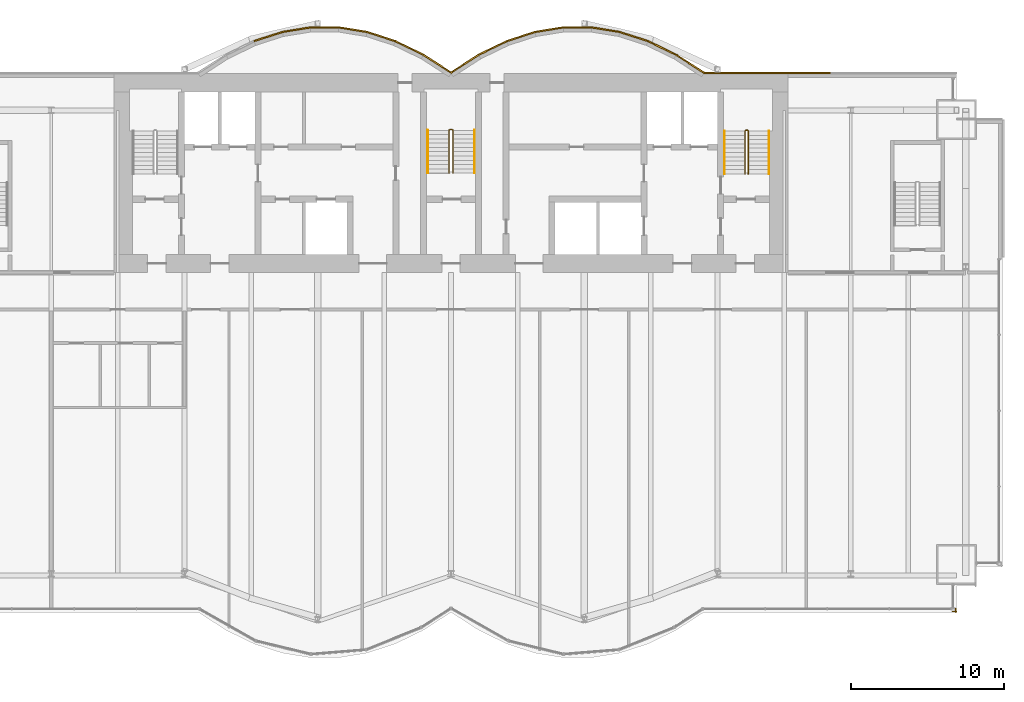
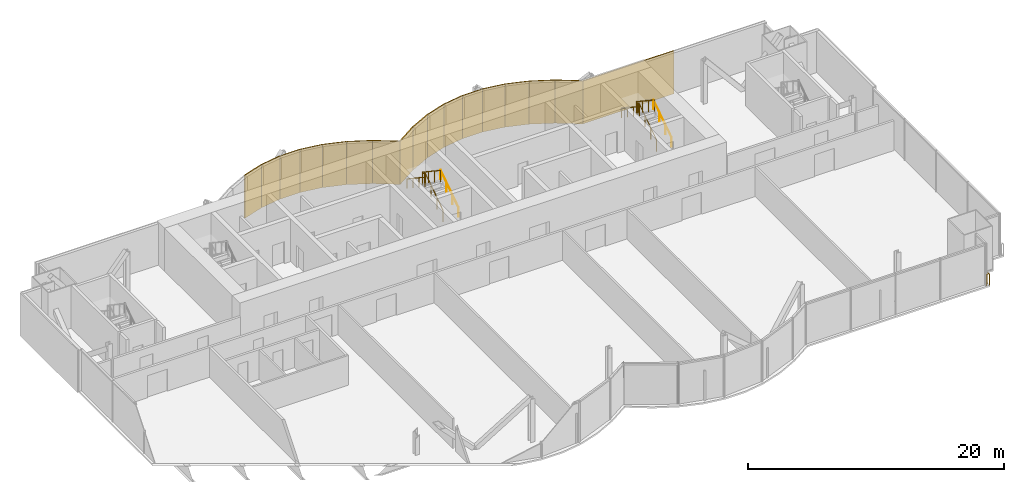
# One storey, part 20 of 21: 17 coverings, 7 railings.
"""IFC4 building model written with IfcOpenShell, lengths in metres."""

from ifc_helpers import new_model, si_unit, direction, frame, origin, origin_2d, place, context, subcontext, project, spatial, rectangle, circle, extrude, material, layer, layer_set, type_object, element, save


model = new_model("IFC4")

# Units and contexts
model_context = context("Model", 3, precision=1e-05, world=origin(), true_north=direction((0.0, 1.0)))
body_context = subcontext(model_context, "Body", "Model", "MODEL_VIEW")
ifc_project = project(units=[si_unit("LENGTHUNIT", "METRE"), si_unit("AREAUNIT", "SQUARE_METRE"), si_unit("VOLUMEUNIT", "CUBIC_METRE"), si_unit("PLANEANGLEUNIT", "RADIAN"), si_unit("MASSUNIT", "GRAM", prefix="KILO")], contexts=[model_context])

# Site, building, storey
site_placement = place(None, origin())
site = spatial("IfcSite", under=ifc_project, at=site_placement, CompositionType="ELEMENT")
building_placement = place(site_placement, origin())
building = spatial("IfcBuilding", under=site, at=building_placement, Name="Bicima Exchange Tower", CompositionType="ELEMENT")
storey_placement = place(building_placement, frame((0.0, 0.0, 156.800048828125)))
storey = spatial("IfcBuildingStorey", under=building, at=storey_placement, Name="L34", CompositionType="ELEMENT", Elevation=156.800048828125)

# Coverings
ifc_material_1 = material(Name="Bronze metal cladding")
ifc_layer_1 = layer(ifc_material_1, 0.004)
ifc_material_2 = material(Name="Ventilated cavity")
ifc_layer_2 = layer(ifc_material_2, 0.06)
ifc_material_3 = material(Name="Galvanised steel rail and mineral wool", Category="steel")
ifc_layer_3 = layer(ifc_material_3, 0.036)
ifc_layer_set = layer_set([ifc_layer_1, ifc_layer_2, ifc_layer_3], Name="Ventilated cavity")
covering_type = type_object("IfcCoveringType", Name="Bronze metal cladding panel 100", PredefinedType="CLADDING", material=ifc_layer_set)
covering_1_placement = place(storey_placement, frame((20.625, 0.050048828125, -0.150146484375), z_axis=(0.0, 0.0, 1.0), x_axis=(-1.0, 0.0, 0.0)))
element("IfcCovering", 1, at=covering_1_placement, inside=storey, type_object=covering_type, Name="Bronze cladding L34 1.2", PredefinedType="CLADDING", context=body_context, shape_type="SweptSolid", body=[
    extrude(rectangle(XDim=8.25, YDim=0.10009765625, at=origin_2d()), origin(), (0.0, 0.0, 1.0), 4.10009765625),
])
covering_2_placement = place(storey_placement, frame((15.610595703125, 0.634521484375, -0.150146484375), z_axis=(0.0, 0.0, 1.0), x_axis=(-0.839790466384, 0.542910648791, 0.0)))
element("IfcCovering", 2, at=covering_2_placement, inside=storey, type_object=covering_type, Name="Bronze cladding L34 2.1", PredefinedType="CLADDING", context=body_context, shape_type="SweptSolid", body=[
    extrude(rectangle(XDim=2.18310546875, YDim=0.10009765625, at=origin_2d()), origin(), (0.0, 0.0, 1.0), 4.10009765625),
])
covering_3_placement = place(storey_placement, frame((13.771728515625, 1.674560546875, -0.150146484375), z_axis=(0.0, 0.0, 1.0), x_axis=(-0.899818346812, 0.436264762204, 0.0)))
element("IfcCovering", 3, at=covering_3_placement, inside=storey, type_object=covering_type, Name="Bronze cladding L34 3.1", PredefinedType="CLADDING", context=body_context, shape_type="SweptSolid", body=[
    extrude(rectangle(XDim=2.03759765625, YDim=0.10009765625, at=origin_2d()), origin(), (0.0, 0.0, 1.0), 4.10009765625),
])
covering_4_placement = place(storey_placement, frame((11.931884765625, 2.41796875, -0.150146484375), z_axis=(0.0, 0.0, 1.0), x_axis=(-0.951524642381, 0.307572519808, 0.0)))
element("IfcCovering", 4, at=covering_4_placement, inside=storey, type_object=covering_type, Name="Bronze cladding L34 4.1", PredefinedType="CLADDING", context=body_context, shape_type="SweptSolid", body=[
    extrude(rectangle(XDim=1.9267578125, YDim=0.10009765625, at=origin_2d()), origin(), (0.0, 0.0, 1.0), 4.10009765625),
])
covering_5_placement = place(storey_placement, frame((10.09130859375, 2.8642578125, -0.150146484375), z_axis=(0.0, 0.0, 1.0), x_axis=(-0.987189786347, 0.159550386184, 0.0)))
element("IfcCovering", 5, at=covering_5_placement, inside=storey, type_object=covering_type, Name="Bronze cladding L34 5.1", PredefinedType="CLADDING", context=body_context, shape_type="SweptSolid", body=[
    extrude(rectangle(XDim=1.857177734375, YDim=0.10009765625, at=origin_2d()), origin(), (0.0, 0.0, 1.0), 4.10009765625),
])
covering_6_placement = place(storey_placement, frame((8.25, 3.012939453125, -0.150146484375), z_axis=(0.0, 0.0, 1.0), x_axis=(-1.0, 0.0, 0.0)))
element("IfcCovering", 6, at=covering_6_placement, inside=storey, type_object=covering_type, Name="Bronze cladding L34 6.1", PredefinedType="CLADDING", context=body_context, shape_type="SweptSolid", body=[
    extrude(rectangle(XDim=1.83349609375, YDim=0.10009765625, at=origin_2d()), origin(), (0.0, 0.0, 1.0), 4.10009765625),
])
covering_7_placement = place(storey_placement, frame((6.40869140625, 2.8642578125, -0.150146484375), z_axis=(0.0, 0.0, 1.0), x_axis=(-0.987189786347, -0.159550386184, 0.0)))
element("IfcCovering", 7, at=covering_7_placement, inside=storey, type_object=covering_type, Name="Bronze cladding L34 7.1", PredefinedType="CLADDING", context=body_context, shape_type="SweptSolid", body=[
    extrude(rectangle(XDim=1.857177734375, YDim=0.10009765625, at=origin_2d()), origin(), (0.0, 0.0, 1.0), 4.10009765625),
])
covering_8_placement = place(storey_placement, frame((4.568115234375, 2.41796875, -0.150146484375), z_axis=(0.0, 0.0, 1.0), x_axis=(-0.951524642381, -0.307572519808, 0.0)))
element("IfcCovering", 8, at=covering_8_placement, inside=storey, type_object=covering_type, Name="Bronze cladding L34 8.1", PredefinedType="CLADDING", context=body_context, shape_type="SweptSolid", body=[
    extrude(rectangle(XDim=1.9267578125, YDim=0.10009765625, at=origin_2d()), origin(), (0.0, 0.0, 1.0), 4.10009765625),
])
covering_9_placement = place(storey_placement, frame((2.728271484375, 1.674560546875, -0.150146484375), z_axis=(0.0, 0.0, 1.0), x_axis=(-0.899818346812, -0.436264762204, 0.0)))
element("IfcCovering", 9, at=covering_9_placement, inside=storey, type_object=covering_type, Name="Bronze cladding L34 9.1", PredefinedType="CLADDING", context=body_context, shape_type="SweptSolid", body=[
    extrude(rectangle(XDim=2.03759765625, YDim=0.10009765625, at=origin_2d()), origin(), (0.0, 0.0, 1.0), 4.10009765625),
])
for number, where, z_axis, x_axis, name in (
    (10, (0.889404296875, 0.634521484375, -0.150146484375), (0.0, 0.0, 1.0), (-0.839790466384, -0.542910648791, 0.0), "Bronze cladding L34 10.1"),
    (11, (-0.889404296875, 0.634521484375, -0.150146484375), (0.0, 0.0, 1.0), (-0.839790466384, 0.542910648791, 0.0), "Bronze cladding L34 11.1"),
):
    element("IfcCovering", number, at=place(storey_placement, frame(where, z_axis=z_axis, x_axis=x_axis)), inside=storey, type_object=covering_type, Name=name, PredefinedType="CLADDING", context=body_context, shape_type="SweptSolid", body=[
        extrude(rectangle(XDim=2.18310546875, YDim=0.10009765625, at=origin_2d()), origin(), (0.0, 0.0, 1.0), 4.10009765625),
    ])
covering_10_placement = place(storey_placement, frame((-2.728271484375, 1.674560546875, -0.150146484375), z_axis=(0.0, 0.0, 1.0), x_axis=(-0.899818346812, 0.436264762204, 0.0)))
element("IfcCovering", 12, at=covering_10_placement, inside=storey, type_object=covering_type, Name="Bronze cladding L34 12.1", PredefinedType="CLADDING", context=body_context, shape_type="SweptSolid", body=[
    extrude(rectangle(XDim=2.03759765625, YDim=0.10009765625, at=origin_2d()), origin(), (0.0, 0.0, 1.0), 4.10009765625),
])
covering_11_placement = place(storey_placement, frame((-4.568115234375, 2.41796875, -0.150146484375), z_axis=(0.0, 0.0, 1.0), x_axis=(-0.951524642381, 0.307572519808, 0.0)))
element("IfcCovering", 13, at=covering_11_placement, inside=storey, type_object=covering_type, Name="Bronze cladding L34 13.1", PredefinedType="CLADDING", context=body_context, shape_type="SweptSolid", body=[
    extrude(rectangle(XDim=1.9267578125, YDim=0.10009765625, at=origin_2d()), origin(), (0.0, 0.0, 1.0), 4.10009765625),
])
covering_12_placement = place(storey_placement, frame((-6.40869140625, 2.8642578125, -0.150146484375), z_axis=(0.0, 0.0, 1.0), x_axis=(-0.987189786347, 0.159550386184, 0.0)))
element("IfcCovering", 14, at=covering_12_placement, inside=storey, type_object=covering_type, Name="Bronze cladding L34 14.1", PredefinedType="CLADDING", context=body_context, shape_type="SweptSolid", body=[
    extrude(rectangle(XDim=1.857177734375, YDim=0.10009765625, at=origin_2d()), origin(), (0.0, 0.0, 1.0), 4.10009765625),
])
covering_13_placement = place(storey_placement, frame((-8.25, 3.012939453125, -0.150146484375), z_axis=(0.0, 0.0, 1.0), x_axis=(-1.0, 0.0, 0.0)))
element("IfcCovering", 15, at=covering_13_placement, inside=storey, type_object=covering_type, Name="Bronze cladding L34 15.1", PredefinedType="CLADDING", context=body_context, shape_type="SweptSolid", body=[
    extrude(rectangle(XDim=1.83349609375, YDim=0.10009765625, at=origin_2d()), origin(), (0.0, 0.0, 1.0), 4.10009765625),
])
covering_14_placement = place(storey_placement, frame((-10.09130859375, 2.8642578125, -0.150146484375), z_axis=(0.0, 0.0, 1.0), x_axis=(-0.987189786347, -0.159550386184, 0.0)))
element("IfcCovering", 16, at=covering_14_placement, inside=storey, type_object=covering_type, Name="Bronze cladding L34 16.1", PredefinedType="CLADDING", context=body_context, shape_type="SweptSolid", body=[
    extrude(rectangle(XDim=1.857177734375, YDim=0.10009765625, at=origin_2d()), origin(), (0.0, 0.0, 1.0), 4.10009765625),
])
covering_15_placement = place(storey_placement, frame((-11.931884765625, 2.41796875, -0.150146484375), z_axis=(0.0, 0.0, 1.0), x_axis=(-0.951524642381, -0.307572519808, 0.0)))
element("IfcCovering", 17, at=covering_15_placement, inside=storey, type_object=covering_type, Name="Bronze cladding L34 17.1", PredefinedType="CLADDING", context=body_context, shape_type="SweptSolid", body=[
    extrude(rectangle(XDim=1.9267578125, YDim=0.10009765625, at=origin_2d()), origin(), (0.0, 0.0, 1.0), 4.10009765625),
])

# Railings
ifc_material_4 = material(Name="Stainless steel and bonded safety glass", Category="steel")
railing_type_1 = type_object("IfcRailingType", Name="Edge guard 1100", PredefinedType="GUARDRAIL", material=ifc_material_4)
railing_1_placement = place(storey_placement, frame((32.949951171875, -34.925048828125, 0.0)))
element("IfcRailing", 18, at=railing_1_placement, inside=storey, type_object=railing_type_1, Name="Edge guard L34 170", PredefinedType="GUARDRAIL", context=body_context, shape_type="SweptSolid", body=[
    extrude(circle(Radius=0.02392578125, at=origin_2d()), frame((0.0, 0.0, 1.076171875), z_axis=(0.0, -1.0, 0.0), x_axis=(1.0, 0.0, 0.0)), (0.0, 0.0, 1.0), 0.242919921875),
    extrude(circle(Radius=0.02392578125, at=origin_2d()), frame((0.0, -0.242919921875, 1.076171875), z_axis=(0.707106781187, 0.707106781187, 0.0), x_axis=(-0.707106781187, 0.707106781187, 0.0)), (0.0, 0.0, 1.0), 0.07080078125),
    extrude(circle(Radius=0.02392578125, at=origin_2d()), frame((0.050048828125, -0.19287109375, 1.076171875), z_axis=(-1.0, 0.0, 0.0), x_axis=(0.0, -1.0, 0.0)), (0.0, 0.0, 1.0), 0.25),
    extrude(circle(Radius=0.02099609375, at=origin_2d()), origin(), (0.0, 0.0, 1.0), 1.052001953125),
    extrude(circle(Radius=0.02099609375, at=origin_2d()), frame((0.0, -0.242919921875, 0.0)), (0.0, 0.0, 1.0), 1.052001953125),
    extrude(circle(Radius=0.02099609375, at=origin_2d()), frame((0.050048828125, -0.19287109375, 0.0)), (0.0, 0.0, 1.0), 1.052001953125),
    extrude(circle(Radius=0.02099609375, at=origin_2d()), frame((-0.199951171875, -0.19287109375, 0.0)), (0.0, 0.0, 1.0), 1.052001953125),
])
ifc_material_5 = material(Name="Stainless steel", Category="steel")
railing_type_2 = type_object("IfcRailingType", Name="Stair guard 1100", PredefinedType="GUARDRAIL", material=ifc_material_5)
railing_2_placement = place(storey_placement, frame((0.125, -6.5, 0.186279296875)))
element("IfcRailing", 19, at=railing_2_placement, inside=storey, type_object=railing_type_2, Name="L34 ST-C stair guard 1", PredefinedType="GUARDRAIL", context=body_context, shape_type="SweptSolid", body=[
    extrude(circle(Radius=0.02392578125, at=origin_2d()), frame((0.0, 0.0, 1.076171875), z_axis=(0.0, 0.832452072856, 0.554097055034), x_axis=(-1.0, 0.0, 0.0)), (0.0, 0.0, 1.0), 3.363525390625),
    extrude(circle(Radius=0.02392578125, at=origin_2d()), frame((0.0, 2.800048828125, 2.93994140625), z_axis=(-0.707106781187, 0.707106781187, 0.0), x_axis=(-0.707106781187, -0.707106781187, 0.0)), (0.0, 0.0, 1.0), 0.07080078125),
    extrude(circle(Radius=0.02392578125, at=origin_2d()), frame((-0.050048828125, 2.85009765625, 2.93994140625), z_axis=(-1.0, 0.0, 0.0), x_axis=(0.0, -1.0, 0.0)), (0.0, 0.0, 1.0), 0.14990234375),
    extrude(circle(Radius=0.02392578125, at=origin_2d()), frame((-0.199951171875, 2.85009765625, 2.93994140625), z_axis=(-0.251157038772, -0.251157038772, 0.934794246747), x_axis=(0.707106781187, -0.707106781187, 0.0)), (0.0, 0.0, 1.0), 0.19921875),
    extrude(circle(Radius=0.02392578125, at=origin_2d()), frame((-0.25, 2.800048828125, 3.1259765625), z_axis=(0.0, -0.832485552168, 0.554046753832), x_axis=(1.0, 0.0, 0.0)), (0.0, 0.0, 1.0), 3.363525390625),
    extrude(circle(Radius=0.02099609375, at=origin_2d()), origin(), (0.0, 0.0, 1.0), 1.052001953125),
    extrude(circle(Radius=0.02099609375, at=origin_2d()), frame((0.0, 0.933349609375, 0.621337890625)), (0.0, 0.0, 1.0), 1.052001953125),
    extrude(circle(Radius=0.02099609375, at=origin_2d()), frame((0.0, 1.86669921875, 1.242431640625)), (0.0, 0.0, 1.0), 1.052001953125),
    extrude(circle(Radius=0.02099609375, at=origin_2d()), frame((0.0, 2.800048828125, 1.86376953125)), (0.0, 0.0, 1.0), 1.052001953125),
    extrude(circle(Radius=0.02099609375, at=origin_2d()), frame((-0.050048828125, 2.85009765625, 1.86376953125)), (0.0, 0.0, 1.0), 1.052001953125),
    extrude(circle(Radius=0.02099609375, at=origin_2d()), frame((-0.199951171875, 2.85009765625, 1.86376953125)), (0.0, 0.0, 1.0), 1.052001953125),
    extrude(circle(Radius=0.02099609375, at=origin_2d()), frame((-0.25, 2.800048828125, 2.050048828125)), (0.0, 0.0, 1.0), 1.052001953125),
    extrude(circle(Radius=0.02099609375, at=origin_2d()), frame((-0.25, 1.86669921875, 2.671142578125)), (0.0, 0.0, 1.0), 1.052001953125),
    extrude(circle(Radius=0.02099609375, at=origin_2d()), frame((-0.25, 0.933349609375, 3.29248046875)), (0.0, 0.0, 1.0), 1.052001953125),
    extrude(circle(Radius=0.02099609375, at=origin_2d()), frame((-0.25, 0.0, 3.91357421875)), (0.0, 0.0, 1.0), 1.052001953125),
])
railing_3_placement = place(storey_placement, frame((19.39990234375, -6.550048828125, 0.186279296875)))
element("IfcRailing", 20, at=railing_3_placement, inside=storey, type_object=railing_type_2, Name="L34 ST-E stair guard 1", PredefinedType="GUARDRAIL", context=body_context, shape_type="SweptSolid", body=[
    extrude(circle(Radius=0.02392578125, at=origin_2d()), frame((0.0, 0.0, 1.076171875), z_axis=(0.0, 0.832452072856, 0.554097055034), x_axis=(-1.0, 0.0, 0.0)), (0.0, 0.0, 1.0), 3.363525390625),
    extrude(circle(Radius=0.02392578125, at=origin_2d()), frame((0.0, 2.800048828125, 2.93994140625), z_axis=(-0.705375805398, 0.708833529934, 0.0), x_axis=(-0.708833529934, -0.705375805398, 0.0)), (0.0, 0.0, 1.0), 0.070556640625),
    extrude(circle(Radius=0.02392578125, at=origin_2d()), frame((-0.0498046875, 2.85009765625, 2.93994140625), z_axis=(-1.0, 0.0, 0.0), x_axis=(0.0, -1.0, 0.0)), (0.0, 0.0, 1.0), 0.10009765625),
    extrude(circle(Radius=0.02392578125, at=origin_2d()), frame((-0.14990234375, 2.85009765625, 2.93994140625), z_axis=(-0.251157038772, -0.251157038772, 0.934794246747), x_axis=(0.707106781187, -0.707106781187, 0.0)), (0.0, 0.0, 1.0), 0.19921875),
    extrude(circle(Radius=0.02392578125, at=origin_2d()), frame((-0.199951171875, 2.800048828125, 3.1259765625), z_axis=(0.0, -0.832485552168, 0.554046753832), x_axis=(1.0, 0.0, 0.0)), (0.0, 0.0, 1.0), 3.363525390625),
    extrude(circle(Radius=0.02099609375, at=origin_2d()), origin(), (0.0, 0.0, 1.0), 1.052001953125),
    extrude(circle(Radius=0.02099609375, at=origin_2d()), frame((0.0, 0.933349609375, 0.621337890625)), (0.0, 0.0, 1.0), 1.052001953125),
    extrude(circle(Radius=0.02099609375, at=origin_2d()), frame((0.0, 1.86669921875, 1.242431640625)), (0.0, 0.0, 1.0), 1.052001953125),
    extrude(circle(Radius=0.02099609375, at=origin_2d()), frame((0.0, 2.800048828125, 1.86376953125)), (0.0, 0.0, 1.0), 1.052001953125),
    extrude(circle(Radius=0.02099609375, at=origin_2d()), frame((-0.0498046875, 2.85009765625, 1.86376953125)), (0.0, 0.0, 1.0), 1.052001953125),
    extrude(circle(Radius=0.02099609375, at=origin_2d()), frame((-0.14990234375, 2.85009765625, 1.86376953125)), (0.0, 0.0, 1.0), 1.052001953125),
    extrude(circle(Radius=0.02099609375, at=origin_2d()), frame((-0.199951171875, 2.800048828125, 2.050048828125)), (0.0, 0.0, 1.0), 1.052001953125),
    extrude(circle(Radius=0.02099609375, at=origin_2d()), frame((-0.199951171875, 1.86669921875, 2.671142578125)), (0.0, 0.0, 1.0), 1.052001953125),
    extrude(circle(Radius=0.02099609375, at=origin_2d()), frame((-0.199951171875, 0.933349609375, 3.29248046875)), (0.0, 0.0, 1.0), 1.052001953125),
    extrude(circle(Radius=0.02099609375, at=origin_2d()), frame((-0.199951171875, 0.0, 3.91357421875)), (0.0, 0.0, 1.0), 1.052001953125),
])
railing_type_3 = type_object("IfcRailingType", Name="Stair handrail 900", PredefinedType="HANDRAIL", material=ifc_material_5)
railing_4_placement = place(storey_placement, frame((1.52490234375, -6.5, 0.186279296875)))
element("IfcRailing", 21, at=railing_4_placement, inside=storey, type_object=railing_type_3, Name="L34 ST-C stair handrail 1", PredefinedType="HANDRAIL", context=body_context, shape_type="SweptSolid", body=[
    extrude(circle(Radius=0.02392578125, at=origin_2d()), frame((0.0, 0.0, 0.8759765625), z_axis=(0.0, 0.832452072856, 0.554097055034), x_axis=(-1.0, 0.0, 0.0)), (0.0, 0.0, 1.0), 3.363525390625),
    extrude(circle(Radius=0.02099609375, at=origin_2d()), origin(), (0.0, 0.0, 1.0), 0.851806640625),
    extrude(circle(Radius=0.02099609375, at=origin_2d()), frame((0.0, 0.933349609375, 0.621337890625)), (0.0, 0.0, 1.0), 0.851806640625),
    extrude(circle(Radius=0.02099609375, at=origin_2d()), frame((0.0, 1.86669921875, 1.242431640625)), (0.0, 0.0, 1.0), 0.851806640625),
    extrude(circle(Radius=0.02099609375, at=origin_2d()), frame((0.0, 2.800048828125, 1.86376953125)), (0.0, 0.0, 1.0), 0.851806640625),
])
railing_5_placement = place(storey_placement, frame((-1.52490234375, -3.699951171875, 2.276611328125)))
element("IfcRailing", 22, at=railing_5_placement, inside=storey, type_object=railing_type_3, Name="L34 ST-C stair handrail 2", PredefinedType="HANDRAIL", context=body_context, shape_type="SweptSolid", body=[
    extrude(circle(Radius=0.02392578125, at=origin_2d()), frame((0.0, 0.0, 0.8759765625), z_axis=(0.0, -0.832452072856, 0.554097055034), x_axis=(1.0, 0.0, 0.0)), (0.0, 0.0, 1.0), 3.363525390625),
    extrude(circle(Radius=0.02099609375, at=origin_2d()), origin(), (0.0, 0.0, 1.0), 0.851806640625),
    extrude(circle(Radius=0.02099609375, at=origin_2d()), frame((0.0, -0.933349609375, 0.621337890625)), (0.0, 0.0, 1.0), 0.851806640625),
    extrude(circle(Radius=0.02099609375, at=origin_2d()), frame((0.0, -1.86669921875, 1.242431640625)), (0.0, 0.0, 1.0), 0.851806640625),
    extrude(circle(Radius=0.02099609375, at=origin_2d()), frame((0.0, -2.800048828125, 1.86376953125)), (0.0, 0.0, 1.0), 0.851806640625),
])
railing_6_placement = place(storey_placement, frame((20.75, -6.550048828125, 0.186279296875)))
element("IfcRailing", 23, at=railing_6_placement, inside=storey, type_object=railing_type_3, Name="L34 ST-E stair handrail 1", PredefinedType="HANDRAIL", context=body_context, shape_type="SweptSolid", body=[
    extrude(circle(Radius=0.02392578125, at=origin_2d()), frame((0.0, 0.0, 0.8759765625), z_axis=(0.0, 0.832452072856, 0.554097055034), x_axis=(-1.0, 0.0, 0.0)), (0.0, 0.0, 1.0), 3.363525390625),
    extrude(circle(Radius=0.02099609375, at=origin_2d()), origin(), (0.0, 0.0, 1.0), 0.851806640625),
    extrude(circle(Radius=0.02099609375, at=origin_2d()), frame((0.0, 0.933349609375, 0.621337890625)), (0.0, 0.0, 1.0), 0.851806640625),
    extrude(circle(Radius=0.02099609375, at=origin_2d()), frame((0.0, 1.86669921875, 1.242431640625)), (0.0, 0.0, 1.0), 0.851806640625),
    extrude(circle(Radius=0.02099609375, at=origin_2d()), frame((0.0, 2.800048828125, 1.86376953125)), (0.0, 0.0, 1.0), 0.851806640625),
])
railing_7_placement = place(storey_placement, frame((17.85009765625, -3.75, 2.276611328125)))
element("IfcRailing", 24, at=railing_7_placement, inside=storey, type_object=railing_type_3, Name="L34 ST-E stair handrail 2", PredefinedType="HANDRAIL", context=body_context, shape_type="SweptSolid", body=[
    extrude(circle(Radius=0.02392578125, at=origin_2d()), frame((0.0, 0.0, 0.8759765625), z_axis=(0.0, -0.832452072856, 0.554097055034), x_axis=(1.0, 0.0, 0.0)), (0.0, 0.0, 1.0), 3.363525390625),
    extrude(circle(Radius=0.02099609375, at=origin_2d()), origin(), (0.0, 0.0, 1.0), 0.851806640625),
    extrude(circle(Radius=0.02099609375, at=origin_2d()), frame((0.0, -0.933349609375, 0.621337890625)), (0.0, 0.0, 1.0), 0.851806640625),
    extrude(circle(Radius=0.02099609375, at=origin_2d()), frame((0.0, -1.86669921875, 1.242431640625)), (0.0, 0.0, 1.0), 0.851806640625),
    extrude(circle(Radius=0.02099609375, at=origin_2d()), frame((0.0, -2.800048828125, 1.86376953125)), (0.0, 0.0, 1.0), 0.851806640625),
])

save(model, "model.ifc")
